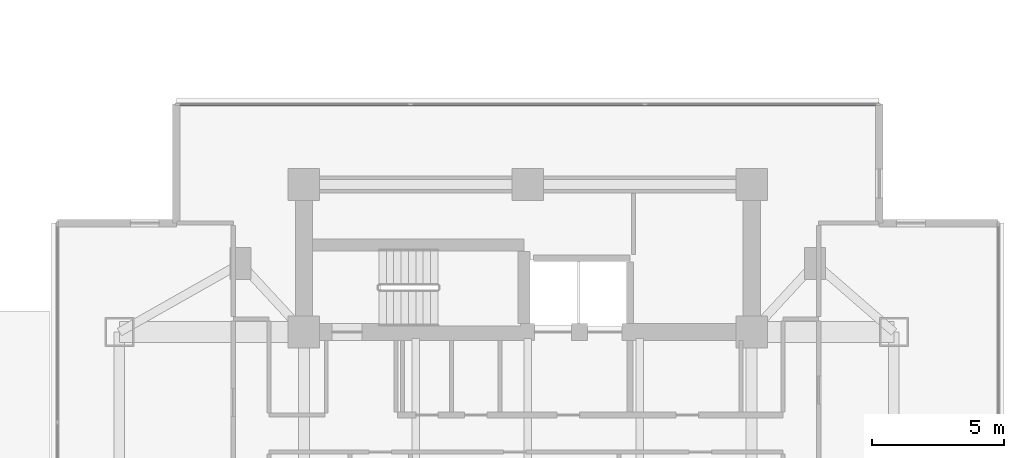
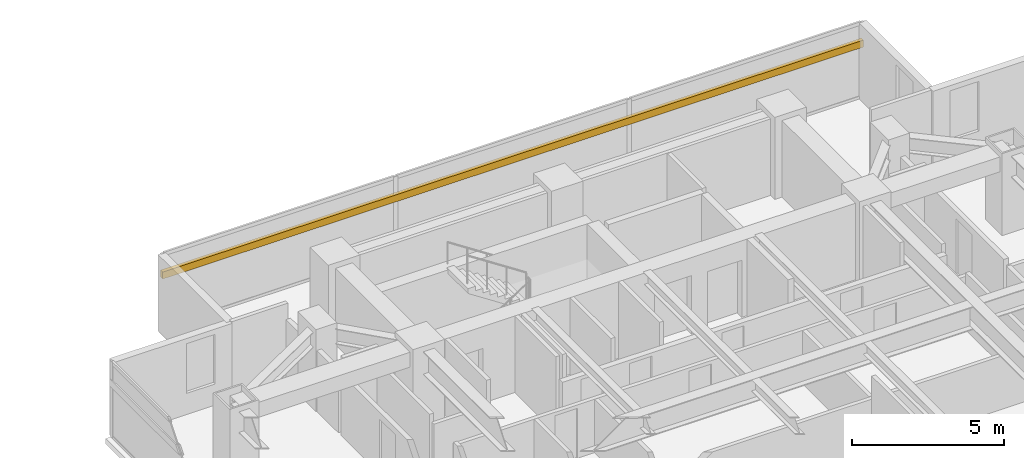
# One storey, part 26 of 26: 1 shading device.
"""IFC4 building model written with IfcOpenShell, lengths in metres."""

from ifc_helpers import new_model, si_unit, direction, frame, origin, origin_2d, place, context, subcontext, project, spatial, rectangle, extrude, material, material_profile, profile_set, type_object, element, save


model = new_model("IFC4")

# Units and contexts
model_context = context("Model", 3, precision=1e-05, world=origin(), true_north=direction((0.0, 1.0)))
body_context = subcontext(model_context, "Body", "Model", "MODEL_VIEW")
ifc_project = project(units=[si_unit("LENGTHUNIT", "METRE"), si_unit("AREAUNIT", "SQUARE_METRE"), si_unit("VOLUMEUNIT", "CUBIC_METRE"), si_unit("PLANEANGLEUNIT", "RADIAN"), si_unit("MASSUNIT", "GRAM", prefix="KILO")], contexts=[model_context])

# Site, building, storey
site_placement = place(None, origin())
site = spatial("IfcSite", under=ifc_project, at=site_placement, CompositionType="ELEMENT")
building_placement = place(site_placement, origin())
building = spatial("IfcBuilding", under=site, at=building_placement, Name="Mirazonda Arch Towers", CompositionType="ELEMENT")
storey_placement = place(building_placement, frame((0.0, 0.0, 98.300048828125)))
storey = spatial("IfcBuildingStorey", under=building, at=storey_placement, Name="L27", CompositionType="ELEMENT", Elevation=98.300048828125)

# Shading device
ifc_material = material(Name="Kiln-Fired Architectural Terracotta", Category="masonry")
ifc_material_profile = material_profile(ifc_material, rectangle(XDim=0.139892578125, YDim=0.280029296875, at=origin_2d()), Name="TERRA-BAG-140x280")
ifc_profile_set = profile_set([ifc_material_profile], Name="Kiln-Fired Architectural Terracotta")
shading_device_type = type_object("IfcShadingDeviceType", Name="BAGUETTE-3", PredefinedType="USERDEFINED", material=ifc_profile_set)
shading_device_placement = place(storey_placement, frame((63.159912109375, 43.847412109375, 2.203125), z_axis=(1.0, 0.0, 0.0), x_axis=(0.0, 1.0, 0.0)))
element("IfcShadingDevice", 1, at=shading_device_placement, inside=storey, type_object=shading_device_type, Name="L27 Glazed Terracotta Sun-Screen Baguette CW-L27-T2-N", ObjectType="BAGUETTE", PredefinedType="USERDEFINED", context=body_context, shape_type="SweptSolid", body=[
    extrude(rectangle(XDim=0.139892578125, YDim=0.280029296875, at=origin_2d()), origin(), (0.0, 0.0, 1.0), 26.68017578125),
])

save(model, "model.ifc")
